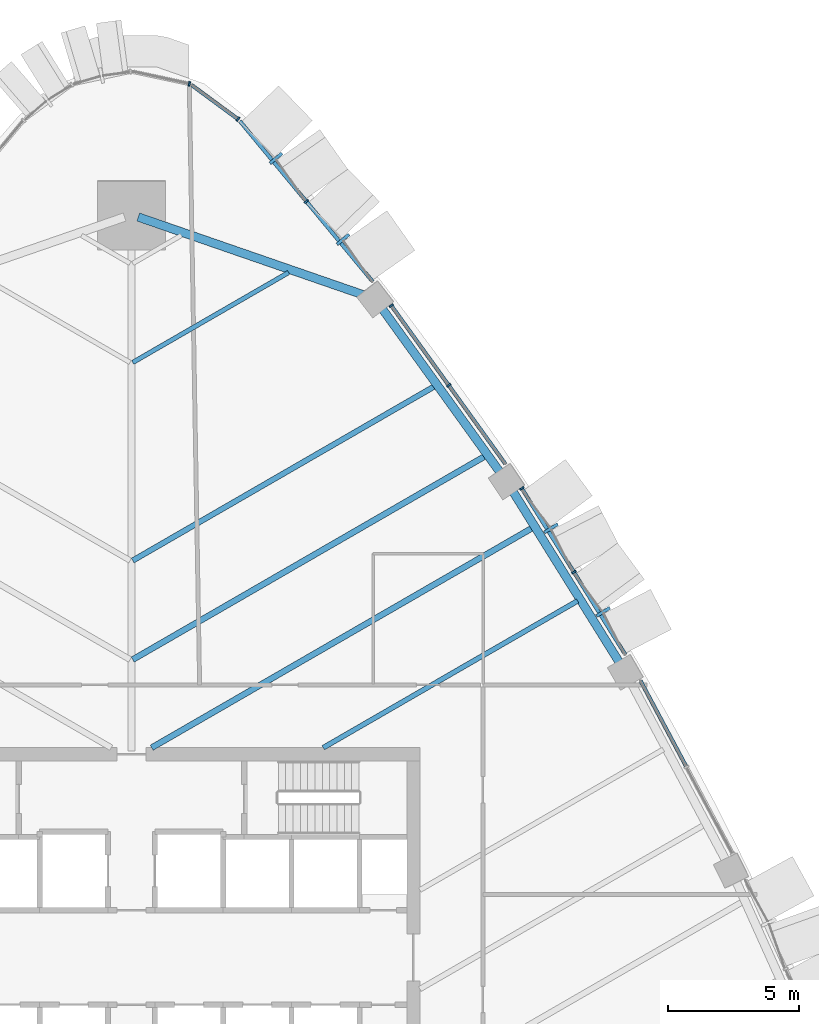
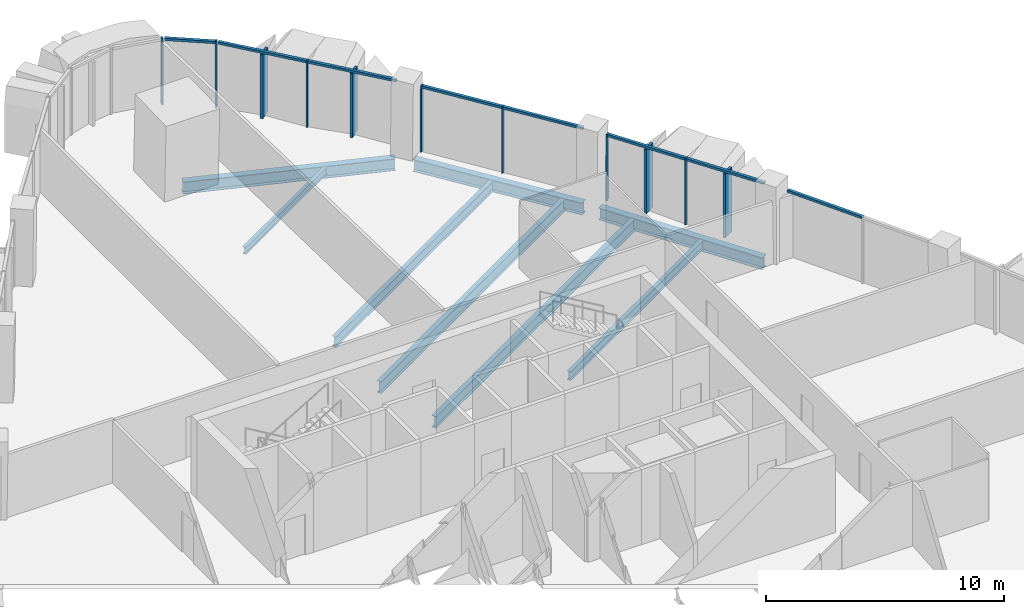
# One storey, part 7 of 17: 19 members, 8 beams, 6 elements without a shape of their own.
"""IFC4 building model written with IfcOpenShell, lengths in metres."""

import ifcopenshell
import ifcopenshell.guid

model = None  # the IFC model being written
_history = None  # IfcOwnerHistory: only IFC2X3 demands one
_inside = {}  # id of a spatial element -> (the spatial element, [elements in it])
_under = {}  # id of a project, library or spatial element -> (it, [spatial elements below it])
_declared = {}  # id of a project -> (the project, [libraries it declares])
_typed = {}  # id of a type object -> (the type object, [elements of that type])
_made_of = {}  # id of a material, layer set ... -> (it, [elements and type objects made of it])


def new_model(schema):
    """Start an empty IFC model of exactly this schema.

    Asked for "IFC4X3", IfcOpenShell would pick the latest addendum, in which some entities
    have other attributes; the version numbers below select the first issue.
    IFC2X3 requires an IfcOwnerHistory on every rooted entity: one is made here for all.
    """
    global model, _history
    if schema == "IFC4X3":
        model = ifcopenshell.file(schema_version=(4, 3, 0, 0))
    else:
        model = ifcopenshell.file(schema=schema)
    _inside.clear()
    _under.clear()
    _declared.clear()
    _typed.clear()
    _made_of.clear()
    _history = None
    if model.schema == "IFC2X3":
        org = make("IfcOrganization", Name="unknown")
        user = make(
            "IfcPersonAndOrganization",
            ThePerson=make("IfcPerson", FamilyName="unknown"),
            TheOrganization=org,
        )
        app = make(
            "IfcApplication",
            ApplicationDeveloper=org,
            Version="unknown",
            ApplicationFullName="unknown",
            ApplicationIdentifier="unknown",
        )
        _history = make(
            "IfcOwnerHistory",
            OwningUser=user,
            OwningApplication=app,
            ChangeAction="ADDED",
            CreationDate=0,
        )
    return model


def make(cls, **values):
    """One entity of the class cls with the attributes given. An attribute that is None is left unset."""
    return model.create_entity(
        cls, **{name: value for name, value in values.items() if value is not None}
    )


def rooted(cls, **values):
    """An entity with a GlobalId (a new one), such as an element, a storey or a relation."""
    return make(cls, GlobalId=ifcopenshell.guid.new(), OwnerHistory=_history, **values)


def si_unit(unit_type, name, prefix=None):
    """IfcSIUnit, for example si_unit("LENGTHUNIT", "METRE", prefix="MILLI")."""
    return make("IfcSIUnit", UnitType=unit_type, Prefix=prefix, Name=name)


def assignment(units):
    """IfcUnitAssignment: the units of a project."""
    return None if units is None else make("IfcUnitAssignment", Units=units)


def point(xyz):
    """IfcCartesianPoint."""
    return None if xyz is None else make("IfcCartesianPoint", Coordinates=xyz)


def direction(xyz):
    """IfcDirection."""
    return None if xyz is None else make("IfcDirection", DirectionRatios=xyz)


def frame(location, z_axis=None, x_axis=None):
    """IfcAxis2Placement3D, a coordinate frame: its origin and axes. An axis left out is left unset."""
    return make(
        "IfcAxis2Placement3D",
        Location=point(location),
        Axis=direction(z_axis),
        RefDirection=direction(x_axis),
    )


def frame_2d(location, x_axis=None):
    """IfcAxis2Placement2D, a coordinate frame in the plane: its origin and x axis."""
    return make(
        "IfcAxis2Placement2D", Location=point(location), RefDirection=direction(x_axis)
    )


def origin():
    """The frame at (0, 0, 0) with its axes left unset."""
    return frame((0.0, 0.0, 0.0))


def origin_2d():
    """The frame at (0, 0) in the plane with its x axis left unset."""
    return frame_2d((0.0, 0.0))


def place(relative_to, where):
    """IfcLocalPlacement: puts the frame where relative to a parent placement (None: the world)."""
    return make(
        "IfcLocalPlacement", PlacementRelTo=relative_to, RelativePlacement=where
    )


def context(
    kind, dimensions, precision=None, world=None, true_north=None, identifier=None
):
    """IfcGeometricRepresentationContext, for example the 3D "Model" context."""
    return make(
        "IfcGeometricRepresentationContext",
        ContextIdentifier=identifier,
        ContextType=kind,
        CoordinateSpaceDimension=dimensions,
        Precision=precision,
        WorldCoordinateSystem=world,
        TrueNorth=true_north,
    )


def subcontext(parent, identifier, kind, view, scale=None):
    """IfcGeometricRepresentationSubContext, for example "Body" below "Model"."""
    return make(
        "IfcGeometricRepresentationSubContext",
        ContextIdentifier=identifier,
        ContextType=kind,
        ParentContext=parent,
        TargetScale=scale,
        TargetView=view,
    )


def project(units=None, contexts=None):
    """IfcProject with its units and contexts."""
    return rooted(
        "IfcProject",
        Name="project",
        RepresentationContexts=contexts,
        UnitsInContext=assignment(units),
    )


def spatial(cls, under=None, at=None, **own):
    """A site, building, storey or space (cls), placed at a placement, below another one or the project."""
    s = rooted(cls, ObjectPlacement=at, **own)
    if under is not None:
        _under.setdefault(under.id(), (under, []))[1].append(s)
    return s


def profile(cls, at=None, kind="AREA", **sizes):
    """A parametric profile (cls). Its sizes go by their IFC names, for example OverallWidth=200.0."""
    return make(cls, ProfileType=kind, Position=at, **sizes)


def rectangle(**sizes):
    """IfcRectangleProfileDef."""
    return profile("IfcRectangleProfileDef", **sizes)


def i_section(**sizes):
    """IfcIShapeProfileDef."""
    return profile("IfcIShapeProfileDef", **sizes)


def extrude(swept, where, along, depth):
    """IfcExtrudedAreaSolid: the profile swept, set in the frame where, extruded along a direction by depth."""
    return make(
        "IfcExtrudedAreaSolid",
        SweptArea=swept,
        Position=where,
        ExtrudedDirection=direction(along),
        Depth=depth,
    )


def shape(context_of_items, identifier, shape_type, items):
    """IfcShapeRepresentation: the items that make up one representation, for example the "Body"."""
    return make(
        "IfcShapeRepresentation",
        ContextOfItems=context_of_items,
        RepresentationIdentifier=identifier,
        RepresentationType=shape_type,
        Items=items,
    )


def material(Name=None, Category=None):
    """IfcMaterial."""
    return make("IfcMaterial", Name=Name, Category=Category)


def layer(
    of_material, thickness, ventilated=None, Name=None, Category=None, Priority=None
):
    """IfcMaterialLayer: one layer of a wall or slab, of a material (None: an air gap)."""
    return make(
        "IfcMaterialLayer",
        Material=of_material,
        LayerThickness=thickness,
        IsVentilated=ventilated,
        Name=Name,
        Category=Category,
        Priority=Priority,
    )


def layer_set(layers, Name=None):
    """IfcMaterialLayerSet."""
    return make("IfcMaterialLayerSet", MaterialLayers=layers, LayerSetName=Name)


def material_profile(
    of_material, cross_section, Name=None, Category=None, Priority=None
):
    """IfcMaterialProfile: a cross section and its material."""
    return make(
        "IfcMaterialProfile",
        Name=Name,
        Material=of_material,
        Profile=cross_section,
        Priority=Priority,
        Category=Category,
    )


def profile_set(profiles, Name=None, composite=None):
    """IfcMaterialProfileSet."""
    return make(
        "IfcMaterialProfileSet",
        Name=Name,
        MaterialProfiles=profiles,
        CompositeProfile=composite,
    )


def made_of(thing, what):
    """Note that an element or type object is made of a material, layer set ...; save() writes the relation."""
    if what is not None:
        _made_of.setdefault(what.id(), (what, []))[1].append(thing)
    return thing


def type_object(cls, material=None, **own):
    """A type object (cls), such as IfcWallType, which elements share."""
    return made_of(rooted(cls, **own), material)


def element(
    cls,
    number,
    at=None,
    inside=None,
    cuts=None,
    type_object=None,
    material=None,
    context=None,
    identifier="Body",
    shape_type=None,
    held_by="IfcProductDefinitionShape",
    body=None,
    shapes=None,
    **own,
):
    """One element of the class cls, such as IfcWall. Its Tag is "e" and its number.

    at: its placement. inside: the storey or other place that contains it. cuts: it is an
    opening in that element (IfcRelVoidsElement). A single representation is given by context,
    identifier, shape_type and body (its items); several are given by shapes. held_by: the class
    of the entity that holds the representations. save() writes the other relations.
    """
    e = rooted(cls, Tag="e%d" % number, ObjectPlacement=at, **own)
    if body is not None:
        shapes = [shape(context, identifier, shape_type, body)]
    if shapes is not None:
        e.Representation = make(held_by, Representations=shapes)
    if inside is not None:
        _inside.setdefault(inside.id(), (inside, []))[1].append(e)
    if cuts is not None:
        rooted(
            "IfcRelVoidsElement", RelatingBuildingElement=cuts, RelatedOpeningElement=e
        )
    if type_object is not None:
        _typed.setdefault(type_object.id(), (type_object, []))[1].append(e)
    return made_of(e, material)


def aggregate(whole, parts):
    """IfcRelAggregates: a whole, such as a stair, and the parts it consists of."""
    return rooted("IfcRelAggregates", RelatingObject=whole, RelatedObjects=parts)


def save(model, path):
    """Write the relations noted so far, then the file.

    IfcRelAggregates (storeys below a building ...), IfcRelContainedInSpatialStructure (elements
    in a storey), IfcRelDefinesByType, IfcRelAssociatesMaterial and IfcRelDeclares: one each for
    every whole, place, type object, material and project.
    """
    for whole, parts in _under.values():
        aggregate(whole, parts)
    for where, things in _inside.values():
        rooted(
            "IfcRelContainedInSpatialStructure",
            RelatedElements=things,
            RelatingStructure=where,
        )
    for kind, things in _typed.values():
        rooted("IfcRelDefinesByType", RelatedObjects=things, RelatingType=kind)
    for what, things in _made_of.values():
        rooted("IfcRelAssociatesMaterial", RelatedObjects=things, RelatingMaterial=what)
    for by, libraries in _declared.values():
        rooted("IfcRelDeclares", RelatingContext=by, RelatedDefinitions=libraries)
    model.write(path)


model = new_model("IFC4")

# Units and contexts
model_context = context("Model", 3, precision=1e-05, world=origin(), true_north=direction((0.0, 1.0)))
body_context = subcontext(model_context, "Body", "Model", "MODEL_VIEW")
ifc_project = project(units=[si_unit("LENGTHUNIT", "METRE"), si_unit("AREAUNIT", "SQUARE_METRE"), si_unit("VOLUMEUNIT", "CUBIC_METRE"), si_unit("PLANEANGLEUNIT", "RADIAN"), si_unit("MASSUNIT", "GRAM", prefix="KILO")], contexts=[model_context])

# Site, building, storey
site_placement = place(None, origin())
site = spatial("IfcSite", under=ifc_project, at=site_placement, CompositionType="ELEMENT")
building_placement = place(site_placement, origin())
building = spatial("IfcBuilding", under=site, at=building_placement, Name="Sierra Prisma Convention Tower", CompositionType="ELEMENT")
storey_placement = place(building_placement, frame((0.0, 0.0, 145.800048828125)))
storey = spatial("IfcBuildingStorey", under=building, at=storey_placement, Name="L31", CompositionType="ELEMENT", Elevation=145.800048828125)

# Curtain wall, members
ifc_material_1 = material(Name="Aluminium and glass curtain wall", Category="aluminium")
ifc_layer_1 = layer(ifc_material_1, 0.179931640625)
ifc_layer_set_1 = layer_set([ifc_layer_1], Name="CW-2 Faceted crystal curtain wall")
curtain_wall_type_1 = type_object("IfcCurtainWallType", Name="CW-2 Faceted crystal curtain wall", PredefinedType="NOTDEFINED", material=ifc_layer_set_1)
curtain_wall_1_placement = place(storey_placement, origin())
curtain_wall_1 = element("IfcCurtainWall", 1, at=curtain_wall_1_placement, inside=storey, type_object=curtain_wall_type_1, Name="CW-2 NE4 L31", PredefinedType="NOTDEFINED")
ifc_material_2 = material(Name="Aluminium 6063-T6 bronze anodised", Category="aluminium")
ifc_material_profile_1 = material_profile(ifc_material_2, rectangle(XDim=0.1201171875, YDim=0.60009765625, at=origin_2d()), Name="ALU RIDGE BLADE 120x600")
ifc_profile_set_1 = profile_set([ifc_material_profile_1], Name="Aluminium 6063-T6 bronze anodised")
member_type_1 = type_object("IfcMemberType", Name="CW hip bronze", PredefinedType="MULLION", material=ifc_profile_set_1)
member_1_placement = place(storey_placement, frame((17.991943359375, 13.17919921875, 0.0), z_axis=(0.0, 0.0, 1.0), x_axis=(-0.528779152394, 0.848759452373, 0.0)))
member_1 = element("IfcMember", 2, at=member_1_placement, type_object=member_type_1, Name="CW-2 ridge NE4.1", PredefinedType="MULLION", context=body_context, shape_type="SweptSolid", body=[
    extrude(rectangle(XDim=0.1201171875, YDim=0.60009765625, at=origin_2d()), origin(), (0.0, 0.0, 1.0), 3.280029296875),
])
member_2_placement = place(storey_placement, frame((16.0048828125, 16.368896484375, 0.0), z_axis=(0.0, 0.0, 1.0), x_axis=(-0.528779152394, 0.848759452373, 0.0)))
member_2 = element("IfcMember", 3, at=member_2_placement, type_object=member_type_1, Name="CW-2 ridge NE4.2", PredefinedType="MULLION", context=body_context, shape_type="SweptSolid", body=[
    extrude(rectangle(XDim=0.1201171875, YDim=0.60009765625, at=origin_2d()), origin(), (0.0, 0.0, 1.0), 3.280029296875),
])

curtain_wall_2_placement = place(storey_placement, origin())
curtain_wall_2 = element("IfcCurtainWall", 4, at=curtain_wall_2_placement, inside=storey, type_object=curtain_wall_type_1, Name="CW-2 NE6 L31", PredefinedType="NOTDEFINED")
member_3_placement = place(storey_placement, frame((8.0712890625, 27.385498046875, 0.0), z_axis=(0.0, 0.0, 1.0), x_axis=(-0.637625965411, 0.770346109378, 0.0)))
member_3 = element("IfcMember", 5, at=member_3_placement, type_object=member_type_1, Name="CW-2 ridge NE6.1", PredefinedType="MULLION", context=body_context, shape_type="SweptSolid", body=[
    extrude(rectangle(XDim=0.1201171875, YDim=0.60009765625, at=origin_2d()), origin(), (0.0, 0.0, 1.0), 3.280029296875),
])
member_4_placement = place(storey_placement, frame((5.51171875, 30.477783203125, 0.0), z_axis=(0.0, 0.0, 1.0), x_axis=(-0.637625965411, 0.770346109378, 0.0)))
member_4 = element("IfcMember", 6, at=member_4_placement, type_object=member_type_1, Name="CW-2 ridge NE6.2", PredefinedType="MULLION", context=body_context, shape_type="SweptSolid", body=[
    extrude(rectangle(XDim=0.1201171875, YDim=0.60009765625, at=origin_2d()), origin(), (0.0, 0.0, 1.0), 3.280029296875),
])

# Member
ifc_material_3 = material(Name="Aluminium 6063-T6 bronze anodised", Category="aluminium")
ifc_material_profile_2 = material_profile(ifc_material_3, rectangle(XDim=0.179931640625, YDim=0.070068359375, at=origin_2d()), Name="ALU MULLION 70x180")
ifc_profile_set_2 = profile_set([ifc_material_profile_2], Name="Aluminium 6063-T6 bronze anodised")
member_type_2 = type_object("IfcMemberType", Name="CW mullion bronze", PredefinedType="MULLION", material=ifc_profile_set_2)
member_5_placement = place(storey_placement, frame((16.875244140625, 14.697265625, 0.0), z_axis=(0.0, 0.0, 1.0), x_axis=(-0.848759452373, -0.528779152394, 0.0)))
member_5 = element("IfcMember", 7, at=member_5_placement, type_object=member_type_2, Name="CW-1 mullion NE4.2", PredefinedType="MULLION", context=body_context, shape_type="SweptSolid", body=[
    extrude(rectangle(XDim=0.179931640625, YDim=0.070068359375, at=origin_2d()), origin(), (0.0, 0.0, 1.0), 3.39990234375),
])

member_6_placement = place(storey_placement, frame((14.88818359375, 17.886962890625, 0.0), z_axis=(0.0, 0.0, 1.0), x_axis=(-0.848759452373, -0.528779152394, 0.0)))
member_6 = element("IfcMember", 8, at=member_6_placement, type_object=member_type_2, Name="CW-1 mullion NE4.3", PredefinedType="MULLION", context=body_context, shape_type="SweptSolid", body=[
    extrude(rectangle(XDim=0.179931640625, YDim=0.070068359375, at=origin_2d()), origin(), (0.0, 0.0, 1.0), 3.39990234375),
])

# Curtain wall, members
ifc_material_4 = material(Name="Aluminium and glass curtain wall", Category="aluminium")
ifc_layer_2 = layer(ifc_material_4, 0.179931640625)
ifc_layer_set_2 = layer_set([ifc_layer_2], Name="CW-1 Plain shaft curtain wall")
curtain_wall_type_2 = type_object("IfcCurtainWallType", Name="CW-1 Plain shaft curtain wall", PredefinedType="NOTDEFINED", material=ifc_layer_set_2)
curtain_wall_3_placement = place(storey_placement, origin())
curtain_wall_3 = element("IfcCurtainWall", 9, at=curtain_wall_3_placement, inside=storey, type_object=curtain_wall_type_2, Name="CW-1 NE5 L31", PredefinedType="NOTDEFINED")
member_7_placement = place(storey_placement, frame((12.098388671875, 21.822509765625, 0.0), z_axis=(0.0, 0.0, 1.0), x_axis=(-0.81138006643, -0.584518937076, 0.0)))
member_7 = element("IfcMember", 10, at=member_7_placement, type_object=member_type_2, Name="CW-1 mullion NE5.2", PredefinedType="MULLION", context=body_context, shape_type="SweptSolid", body=[
    extrude(rectangle(XDim=0.179931640625, YDim=0.070068359375, at=origin_2d()), origin(), (0.0, 0.0, 1.0), 3.39990234375),
])
member_8_placement = place(storey_placement, frame((9.91064453125, 24.859130859375, 0.0), z_axis=(0.0, 0.0, 1.0), x_axis=(-0.81138006643, -0.584518937076, 0.0)))
member_8 = element("IfcMember", 11, at=member_8_placement, type_object=member_type_2, Name="CW-1 mullion NE5.3", PredefinedType="MULLION", context=body_context, shape_type="SweptSolid", body=[
    extrude(rectangle(XDim=0.179931640625, YDim=0.070068359375, at=origin_2d()), origin(), (0.0, 0.0, 1.0), 3.39990234375),
])

# Member
member_9_placement = place(storey_placement, frame((6.671875, 28.832763671875, 0.0), z_axis=(0.0, 0.0, 1.0), x_axis=(-0.770346109378, -0.637625965411, 0.0)))
member_9 = element("IfcMember", 12, at=member_9_placement, type_object=member_type_2, Name="CW-1 mullion NE6.2", PredefinedType="MULLION", context=body_context, shape_type="SweptSolid", body=[
    extrude(rectangle(XDim=0.179931640625, YDim=0.070068359375, at=origin_2d()), origin(), (0.0, 0.0, 1.0), 3.39990234375),
])

# Curtain wall, member
curtain_wall_4_placement = place(storey_placement, origin())
curtain_wall_4 = element("IfcCurtainWall", 13, at=curtain_wall_4_placement, inside=storey, type_object=curtain_wall_type_2, Name="CW-1 N1 L31", PredefinedType="NOTDEFINED")
member_10_placement = place(storey_placement, frame((4.06201171875, 31.97265625, 0.0), z_axis=(0.0, 0.0, 1.0), x_axis=(-0.592666796271, -0.805447744176, 0.0)))
member_10 = element("IfcMember", 14, at=member_10_placement, type_object=member_type_2, Name="CW-1 mullion N1.1", PredefinedType="MULLION", context=body_context, shape_type="SweptSolid", body=[
    extrude(rectangle(XDim=0.179931640625, YDim=0.070068359375, at=origin_2d()), origin(), (0.0, 0.0, 1.0), 3.39990234375),
])

curtain_wall_5_placement = place(storey_placement, origin())
curtain_wall_5 = element("IfcCurtainWall", 15, at=curtain_wall_5_placement, inside=storey, type_object=curtain_wall_type_2, Name="CW-1 N2 L31", PredefinedType="NOTDEFINED")
member_11_placement = place(storey_placement, frame((2.20849609375, 33.31884765625, 0.0), z_axis=(0.0, 0.0, 1.0), x_axis=(-0.209882965354, -0.977726516391, 0.0)))
member_11 = element("IfcMember", 16, at=member_11_placement, type_object=member_type_2, Name="CW-1 mullion N2.1", PredefinedType="MULLION", context=body_context, shape_type="SweptSolid", body=[
    extrude(rectangle(XDim=0.179931640625, YDim=0.070068359375, at=origin_2d()), origin(), (0.0, 0.0, 1.0), 3.39990234375),
])
aggregate(curtain_wall_5, [member_11])

curtain_wall_6_placement = place(storey_placement, origin())
curtain_wall_6 = element("IfcCurtainWall", 17, at=curtain_wall_6_placement, inside=storey, type_object=curtain_wall_type_2, Name="CW-1 NE3 L31", PredefinedType="NOTDEFINED")
ifc_material_5 = material(Name="Aluminium 6063-T6 bronze anodised", Category="aluminium")
ifc_material_profile_3 = material_profile(ifc_material_5, rectangle(XDim=0.139892578125, YDim=0.1201171875, at=origin_2d()), Name="ALU TRANSOM 120x140")
ifc_profile_set_3 = profile_set([ifc_material_profile_3], Name="Aluminium 6063-T6 bronze anodised")
member_type_3 = type_object("IfcMemberType", Name="CW transom bronze", PredefinedType="USERDEFINED", material=ifc_profile_set_3)
member_12_placement = place(storey_placement, frame((21.1494140625, 7.296630859375, 3.33984375), z_axis=(-0.470677567681, 0.882305291428, 0.0), x_axis=(-0.882305291428, -0.470677567681, 0.0)))
member_12 = element("IfcMember", 18, at=member_12_placement, type_object=member_type_3, Name="CW-1 transom NE3.2", ObjectType="TRANSOM", PredefinedType="USERDEFINED", context=body_context, shape_type="SweptSolid", body=[
    extrude(rectangle(XDim=0.139892578125, YDim=0.1201171875, at=origin_2d()), origin(), (0.0, 0.0, 1.0), 3.68798828125),
])
aggregate(curtain_wall_6, [member_12])

# Member
member_13_placement = place(storey_placement, frame((18.843994140625, 11.537353515625, 3.33984375), z_axis=(-0.52877264699, 0.848763505221, 0.0), x_axis=(-0.848763505221, -0.52877264699, 0.0)))
member_13 = element("IfcMember", 19, at=member_13_placement, type_object=member_type_3, Name="CW-1 transom NE4.1", ObjectType="TRANSOM", PredefinedType="USERDEFINED", context=body_context, shape_type="SweptSolid", body=[
    extrude(rectangle(XDim=0.139892578125, YDim=0.1201171875, at=origin_2d()), origin(), (0.0, 0.0, 1.0), 3.688232421875),
])

member_14_placement = place(storey_placement, frame((16.856689453125, 14.72705078125, 3.33984375), z_axis=(-0.52877264699, 0.848763505221, 0.0), x_axis=(-0.848763505221, -0.52877264699, 0.0)))
member_14 = element("IfcMember", 20, at=member_14_placement, type_object=member_type_3, Name="CW-1 transom NE4.2", ObjectType="TRANSOM", PredefinedType="USERDEFINED", context=body_context, shape_type="SweptSolid", body=[
    extrude(rectangle(XDim=0.139892578125, YDim=0.1201171875, at=origin_2d()), origin(), (0.0, 0.0, 1.0), 3.688232421875),
])

aggregate(curtain_wall_1, [member_5, member_6, member_13, member_1, member_14, member_2])

member_15_placement = place(storey_placement, frame((14.265380859375, 18.81396484375, 3.33984375), z_axis=(-0.584509594141, 0.811386797007, 0.0), x_axis=(-0.811386797007, -0.584509594141, 0.0)))
member_15 = element("IfcMember", 21, at=member_15_placement, type_object=member_type_3, Name="CW-1 transom NE5.1", ObjectType="TRANSOM", PredefinedType="USERDEFINED", context=body_context, shape_type="SweptSolid", body=[
    extrude(rectangle(XDim=0.139892578125, YDim=0.1201171875, at=origin_2d()), origin(), (0.0, 0.0, 1.0), 3.672607421875),
])

member_16_placement = place(storey_placement, frame((12.077880859375, 21.850830078125, 3.33984375), z_axis=(-0.584509594141, 0.811386797007, 0.0), x_axis=(-0.811386797007, -0.584509594141, 0.0)))
member_16 = element("IfcMember", 22, at=member_16_placement, type_object=member_type_3, Name="CW-1 transom NE5.2", ObjectType="TRANSOM", PredefinedType="USERDEFINED", context=body_context, shape_type="SweptSolid", body=[
    extrude(rectangle(XDim=0.139892578125, YDim=0.1201171875, at=origin_2d()), origin(), (0.0, 0.0, 1.0), 3.672607421875),
])

aggregate(curtain_wall_3, [member_7, member_8, member_15, member_16])

member_17_placement = place(storey_placement, frame((9.209228515625, 25.767333984375, 3.33984375), z_axis=(-0.637629786494, 0.770342946599, 0.0), x_axis=(-0.770342946599, -0.637629786494, 0.0)))
member_17 = element("IfcMember", 23, at=member_17_placement, type_object=member_type_3, Name="CW-1 transom NE6.1", ObjectType="TRANSOM", PredefinedType="USERDEFINED", context=body_context, shape_type="SweptSolid", body=[
    extrude(rectangle(XDim=0.139892578125, YDim=0.1201171875, at=origin_2d()), origin(), (0.0, 0.0, 1.0), 3.944091796875),
])

member_18_placement = place(storey_placement, frame((6.649658203125, 28.859619140625, 3.33984375), z_axis=(-0.637629786494, 0.770342946599, 0.0), x_axis=(-0.770342946599, -0.637629786494, 0.0)))
member_18 = element("IfcMember", 24, at=member_18_placement, type_object=member_type_3, Name="CW-1 transom NE6.2", ObjectType="TRANSOM", PredefinedType="USERDEFINED", context=body_context, shape_type="SweptSolid", body=[
    extrude(rectangle(XDim=0.139892578125, YDim=0.1201171875, at=origin_2d()), origin(), (0.0, 0.0, 1.0), 3.944091796875),
])

aggregate(curtain_wall_2, [member_9, member_17, member_3, member_18, member_4])

member_19_placement = place(storey_placement, frame((4.03369140625, 31.993408203125, 3.33984375), z_axis=(-0.805394756454, 0.592738801055, 0.0), x_axis=(-0.592738801055, -0.805394756454, 0.0)))
member_19 = element("IfcMember", 25, at=member_19_placement, type_object=member_type_3, Name="CW-1 transom N1.1", ObjectType="TRANSOM", PredefinedType="USERDEFINED", context=body_context, shape_type="SweptSolid", body=[
    extrude(rectangle(XDim=0.139892578125, YDim=0.1201171875, at=origin_2d()), origin(), (0.0, 0.0, 1.0), 2.15380859375),
])

aggregate(curtain_wall_4, [member_10, member_19])

# Beams
ifc_material_6 = material(Name="Steel ASTM A992 Gr 50", Category="steel")
ifc_material_profile_4 = material_profile(ifc_material_6, i_section(OverallWidth=0.172119140625, OverallDepth=0.35791015625, WebThickness=0.0078125, FlangeThickness=0.01318359375, at=origin_2d()), Name="W360x57")
ifc_profile_set_4 = profile_set([ifc_material_profile_4], Name="Steel ASTM A992 Gr 50")
beam_type_1 = type_object("IfcBeamType", Name="Floor joist W360x57", PredefinedType="JOIST", material=ifc_profile_set_4)
beam_1_placement = place(storey_placement, frame((5.994384765625, 26.123779296875, -0.3291015625), z_axis=(-0.866019123777, -0.500010877134, 0.0), x_axis=(0.500010877134, -0.866019123777, 0.0)))
element("IfcBeam", 26, at=beam_1_placement, inside=storey, type_object=beam_type_1, Name="Floor joist L31 NE14", PredefinedType="JOIST", context=body_context, shape_type="SweptSolid", body=[
    extrude(i_section(OverallWidth=0.172119140625, OverallDepth=0.35791015625, WebThickness=0.0078125, FlangeThickness=0.01318359375, at=origin_2d()), origin(), (0.0, 0.0, 1.0), 6.863037109375),
])
ifc_material_7 = material(Name="Steel ASTM A992 Gr 50", Category="steel")
ifc_material_profile_5 = material_profile(ifc_material_7, i_section(OverallWidth=0.18994140625, OverallDepth=0.45703125, WebThickness=0.009033203125, FlangeThickness=0.014404296875, at=origin_2d()), Name="W460x74")
ifc_profile_set_5 = profile_set([ifc_material_profile_5], Name="Steel ASTM A992 Gr 50")
beam_type_2 = type_object("IfcBeamType", Name="Floor joist W460x74", PredefinedType="JOIST", material=ifc_profile_set_5)
beam_2_placement = place(storey_placement, frame((17.01416015625, 13.60009765625, -0.378662109375), z_axis=(-0.866032044152, -0.49998849837, 0.0), x_axis=(0.49998849837, -0.866032044152, 0.0)))
element("IfcBeam", 27, at=beam_2_placement, inside=storey, type_object=beam_type_2, Name="Floor joist L31 NE09", PredefinedType="JOIST", context=body_context, shape_type="SweptSolid", body=[
    extrude(i_section(OverallWidth=0.18994140625, OverallDepth=0.45703125, WebThickness=0.009033203125, FlangeThickness=0.014404296875, at=origin_2d()), origin(), (0.0, 0.0, 1.0), 11.200439453125),
])
ifc_material_8 = material(Name="Steel ASTM A992 Gr 50", Category="steel")
ifc_material_profile_6 = material_profile(ifc_material_8, i_section(OverallWidth=0.208984375, OverallDepth=0.532958984375, WebThickness=0.01025390625, FlangeThickness=0.015625, at=origin_2d()), Name="W530x92")
ifc_profile_set_6 = profile_set([ifc_material_profile_6], Name="Steel ASTM A992 Gr 50")
beam_type_3 = type_object("IfcBeamType", Name="Floor joist W530x92", PredefinedType="JOIST", material=ifc_profile_set_6)
beam_3_placement = place(storey_placement, frame((11.5576171875, 21.781494140625, -0.41650390625), z_axis=(-0.866022801149, -0.500004507869, 0.0), x_axis=(0.500004507869, -0.866022801149, 0.0)))
element("IfcBeam", 28, at=beam_3_placement, inside=storey, type_object=beam_type_3, Name="Floor joist L31 NE12", PredefinedType="JOIST", context=body_context, shape_type="SweptSolid", body=[
    extrude(i_section(OverallWidth=0.208984375, OverallDepth=0.532958984375, WebThickness=0.01025390625, FlangeThickness=0.015625, at=origin_2d()), origin(), (0.0, 0.0, 1.0), 13.287109375),
])
ifc_material_9 = material(Name="Steel ASTM A992 Gr 50", Category="steel")
ifc_material_profile_7 = material_profile(ifc_material_9, i_section(OverallWidth=0.22802734375, OverallDepth=0.60302734375, WebThickness=0.010498046875, FlangeThickness=0.014892578125, at=origin_2d()), Name="W610x101")
ifc_profile_set_7 = profile_set([ifc_material_profile_7], Name="Steel ASTM A992 Gr 50")
beam_type_4 = type_object("IfcBeamType", Name="Floor joist W610x101", PredefinedType="JOIST", material=ifc_profile_set_7)
beam_4_placement = place(storey_placement, frame((15.283447265625, 16.378173828125, -0.45166015625), z_axis=(-0.866026177584, -0.499998659738, 0.0), x_axis=(0.499998659738, -0.866026177584, 0.0)))
element("IfcBeam", 29, at=beam_4_placement, inside=storey, type_object=beam_type_4, Name="Floor joist L31 NE10", PredefinedType="JOIST", context=body_context, shape_type="SweptSolid", body=[
    extrude(i_section(OverallWidth=0.22802734375, OverallDepth=0.60302734375, WebThickness=0.010498046875, FlangeThickness=0.014892578125, at=origin_2d()), origin(), (0.0, 0.0, 1.0), 16.75634765625),
])
beam_5_placement = place(storey_placement, frame((13.4794921875, 19.11376953125, -0.45166015625), z_axis=(-0.866029318535, -0.499993219391, 0.0), x_axis=(0.499993219391, -0.866029318535, 0.0)))
element("IfcBeam", 30, at=beam_5_placement, inside=storey, type_object=beam_type_4, Name="Floor joist L31 NE11", PredefinedType="JOIST", context=body_context, shape_type="SweptSolid", body=[
    extrude(i_section(OverallWidth=0.22802734375, OverallDepth=0.60302734375, WebThickness=0.010498046875, FlangeThickness=0.014892578125, at=origin_2d()), origin(), (0.0, 0.0, 1.0), 15.506103515625),
])
ifc_material_10 = material(Name="Steel ASTM A992 Gr 50", Category="steel")
ifc_material_profile_8 = material_profile(ifc_material_10, i_section(OverallWidth=0.324951171875, OverallDepth=0.615966796875, WebThickness=0.013916015625, FlangeThickness=0.021484375, at=origin_2d()), Name="W610x174")
ifc_profile_set_8 = profile_set([ifc_material_profile_8], Name="Steel ASTM A992 Gr 50")
beam_type_5 = type_object("IfcBeamType", Name="Spandrel beam W610x174", PredefinedType="BEAM", material=ifc_profile_set_8)
beam_6_placement = place(storey_placement, frame((18.64111328125, 11.201416015625, -0.4580078125), z_axis=(-0.528776779055, 0.848760930965, 0.0), x_axis=(-0.848760930965, -0.528776779055, 0.0)))
element("IfcBeam", 31, at=beam_6_placement, inside=storey, type_object=beam_type_5, Name="Spandrel L31-10", PredefinedType="BEAM", context=body_context, shape_type="SweptSolid", body=[
    extrude(i_section(OverallWidth=0.324951171875, OverallDepth=0.615966796875, WebThickness=0.013916015625, FlangeThickness=0.021484375, at=origin_2d()), origin(), (0.0, 0.0, 1.0), 7.814453125),
])
beam_7_placement = place(storey_placement, frame((14.085693359375, 18.46533203125, -0.4580078125), z_axis=(-0.584522812223, 0.811377274757, 0.0), x_axis=(-0.811377274757, -0.584522812223, 0.0)))
element("IfcBeam", 32, at=beam_7_placement, inside=storey, type_object=beam_type_5, Name="Spandrel L31-11", PredefinedType="BEAM", context=body_context, shape_type="SweptSolid", body=[
    extrude(i_section(OverallWidth=0.324951171875, OverallDepth=0.615966796875, WebThickness=0.013916015625, FlangeThickness=0.021484375, at=origin_2d()), origin(), (0.0, 0.0, 1.0), 7.814208984375),
])
beam_8_placement = place(storey_placement, frame((8.84423828125, 25.270263671875, -0.4580078125), z_axis=(-0.945094993087, 0.326795737492, 0.0), x_axis=(-0.326795737492, -0.945094993087, 0.0)))
element("IfcBeam", 33, at=beam_8_placement, inside=storey, type_object=beam_type_5, Name="Spandrel L31-12", PredefinedType="BEAM", context=body_context, shape_type="SweptSolid", body=[
    extrude(i_section(OverallWidth=0.324951171875, OverallDepth=0.615966796875, WebThickness=0.013916015625, FlangeThickness=0.021484375, at=origin_2d()), origin(), (0.0, 0.0, 1.0), 9.0830078125),
])

save(model, "model.ifc")
